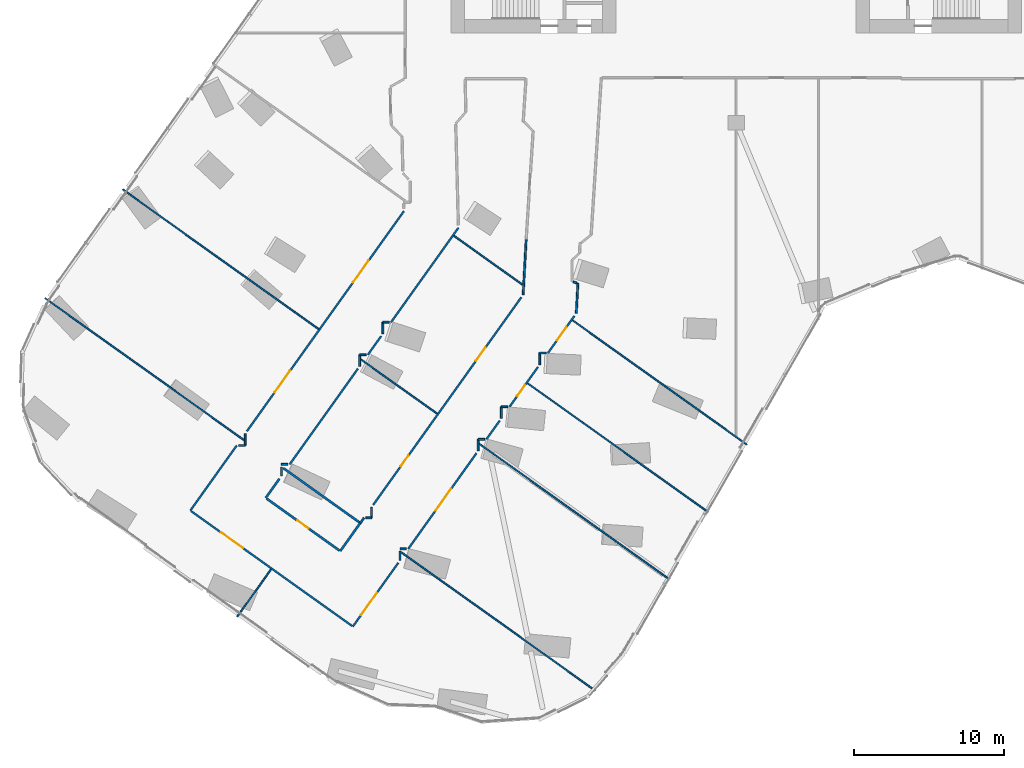
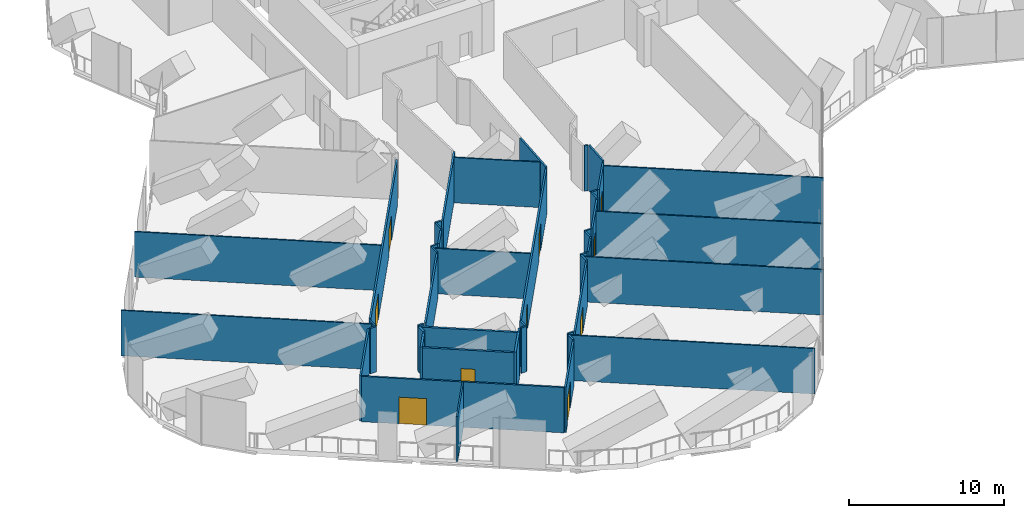
# One storey, part 25 of 34: 47 walls, 10 doors, 10 openings.
"""IFC4 building model written with IfcOpenShell, lengths in metres."""

from ifc_helpers import new_model, si_unit, direction, frame, frame_2d, origin, place, context, subcontext, project, spatial, rectangle, extrude, material, layer, layer_set, type_object, element, fill, save


model = new_model("IFC4")

# Units and contexts
model_context = context("Model", 3, precision=1e-05, world=origin(), true_north=direction((0.0, 1.0)))
body_context = subcontext(model_context, "Body", "Model", "MODEL_VIEW")
ifc_project = project(units=[si_unit("LENGTHUNIT", "METRE"), si_unit("AREAUNIT", "SQUARE_METRE"), si_unit("VOLUMEUNIT", "CUBIC_METRE"), si_unit("PLANEANGLEUNIT", "RADIAN"), si_unit("MASSUNIT", "GRAM", prefix="KILO")], contexts=[model_context])

# Site, building, storey
site_placement = place(None, origin())
site = spatial("IfcSite", under=ifc_project, at=site_placement, CompositionType="ELEMENT")
building_placement = place(site_placement, origin())
building = spatial("IfcBuilding", under=site, at=building_placement, Name="Orlundy Tower", CompositionType="ELEMENT")
storey_placement = place(building_placement, frame((0.0, 0.0, 98.199951171875)))
storey = spatial("IfcBuildingStorey", under=building, at=storey_placement, Name="L24", CompositionType="ELEMENT", Elevation=98.199951171875)

# Walls
ifc_material_1 = material(Name="Gypsum board partition")
ifc_layer_1 = layer(ifc_material_1, 0.10009765625)
ifc_layer_set_1 = layer_set([ifc_layer_1], Name="Floor partition 100")
wall_type_1 = type_object("IfcWallType", Name="Floor partition 100", PredefinedType="PARTITIONING", material=ifc_layer_set_1)
wall_1_placement = place(storey_placement, frame((-46.0439453125, -29.679931640625, 0.0), z_axis=(0.0, 0.0, 1.0), x_axis=(0.814128729821, -0.580684433475, 0.0)))
element("IfcWall", 1, at=wall_1_placement, inside=storey, type_object=wall_type_1, Name="wall-int-L24-011", PredefinedType="PARTITIONING", context=body_context, shape_type="SweptSolid", body=[
    extrude(rectangle(XDim=16.268798828125, YDim=0.10009765625, at=frame_2d((8.13427734375, 0.0))), origin(), (0.0, 0.0, 1.0), 3.580078125),
])
wall_2_placement = place(storey_placement, frame((-22.302001953125, -46.613037109375, 0.0), z_axis=(0.0, 0.0, 1.0), x_axis=(0.814113642146, -0.580705586052, 0.0)))
element("IfcWall", 2, at=wall_2_placement, inside=storey, type_object=wall_type_1, Name="wall-int-L24-013", PredefinedType="PARTITIONING", context=body_context, shape_type="SweptSolid", body=[
    extrude(rectangle(XDim=15.873779296875, YDim=0.10009765625, at=frame_2d((7.93701171875, 0.0))), origin(), (0.0, 0.0, 1.0), 3.580078125),
])
wall_3_placement = place(storey_placement, frame((-40.875, -22.43310546875, 0.0), z_axis=(0.0, 0.0, 1.0), x_axis=(0.814077901833, -0.580755688519, 0.0)))
element("IfcWall", 3, at=wall_3_placement, inside=storey, type_object=wall_type_1, Name="wall-int-L24-014", PredefinedType="PARTITIONING", context=body_context, shape_type="SweptSolid", body=[
    extrude(rectangle(XDim=16.03759765625, YDim=0.10009765625, at=frame_2d((8.018798828125, 0.0))), origin(), (0.0, 0.0, 1.0), 3.580078125),
])
wall_4_placement = place(storey_placement, frame((-24.992919921875, -33.761962890625, 0.0), z_axis=(0.0, 0.0, 1.0), x_axis=(0.813990298992, -0.580878466761, 0.0)))
element("IfcWall", 4, at=wall_4_placement, inside=storey, type_object=wall_type_1, Name="wall-int-L24-015", PredefinedType="PARTITIONING", context=body_context, shape_type="SweptSolid", body=[
    extrude(rectangle(XDim=6.228271484375, YDim=0.10009765625, at=frame_2d((3.1142578125, 0.0))), origin(), (0.0, 0.0, 1.0), 3.580078125),
])
wall_5_placement = place(storey_placement, frame((-17.094970703125, -39.39501953125, 0.0), z_axis=(0.0, 0.0, 1.0), x_axis=(0.814054615278, -0.580788329209, 0.0)))
element("IfcWall", 5, at=wall_5_placement, inside=storey, type_object=wall_type_1, Name="wall-int-L24-016", PredefinedType="PARTITIONING", context=body_context, shape_type="SweptSolid", body=[
    extrude(rectangle(XDim=15.557861328125, YDim=0.10009765625, at=frame_2d((7.77880859375, 0.0))), origin(), (0.0, 0.0, 1.0), 3.580078125),
])
wall_6_placement = place(storey_placement, frame((-13.89599609375, -35.346923828125, 0.0), z_axis=(0.0, 0.0, 1.0), x_axis=(0.814118018686, -0.580699450362, 0.0)))
element("IfcWall", 6, at=wall_6_placement, inside=storey, type_object=wall_type_1, Name="wall-int-L24-017", PredefinedType="PARTITIONING", context=body_context, shape_type="SweptSolid", body=[
    extrude(rectangle(XDim=14.792724609375, YDim=0.10009765625, at=frame_2d((7.396484375, 0.0))), origin(), (0.0, 0.0, 1.0), 3.580078125),
])
wall_7_placement = place(storey_placement, frame((-18.801025390625, -25.51806640625, 0.0), z_axis=(0.0, 0.0, 1.0), x_axis=(0.814033792671, -0.580817513845, 0.0)))
element("IfcWall", 7, at=wall_7_placement, inside=storey, type_object=wall_type_1, Name="wall-int-L24-019", PredefinedType="PARTITIONING", context=body_context, shape_type="SweptSolid", body=[
    extrude(rectangle(XDim=5.6005859375, YDim=0.10009765625, at=frame_2d((2.80029296875, 0.0))), origin(), (0.0, 0.0, 1.0), 3.580078125),
])
wall_8_placement = place(storey_placement, frame((-10.903076171875, -31.15087890625, 0.0), z_axis=(0.0, 0.0, 1.0), x_axis=(0.814095980234, -0.580730346173, 0.0)))
element("IfcWall", 8, at=wall_8_placement, inside=storey, type_object=wall_type_1, Name="wall-int-L24-020", PredefinedType="PARTITIONING", context=body_context, shape_type="SweptSolid", body=[
    extrude(rectangle(XDim=14.2822265625, YDim=0.10009765625, at=frame_2d((7.14111328125, 0.0))), origin(), (0.0, 0.0, 1.0), 3.580078125),
])
wall_9_placement = place(storey_placement, frame((-33.241943359375, -50.908935546875, 0.0), z_axis=(0.0, 0.0, 1.0), x_axis=(0.580721073217, 0.814102594961, 0.0)))
element("IfcWall", 9, at=wall_9_placement, inside=storey, type_object=wall_type_1, Name="wall-int-L24-095", PredefinedType="PARTITIONING", context=body_context, shape_type="SweptSolid", body=[
    extrude(rectangle(XDim=3.88623046875, YDim=0.10009765625, at=frame_2d((1.943115234375, 0.0))), origin(), (0.0, 0.0, 1.0), 3.580078125),
])

# Wall, opening, door
ifc_material_2 = material(Name="Gypsum board partition, double layer")
ifc_layer_2 = layer(ifc_material_2, 0.125)
ifc_layer_set_2 = layer_set([ifc_layer_2], Name="Floor partition 125")
wall_type_2 = type_object("IfcWallType", Name="Floor partition 125", PredefinedType="PARTITIONING", material=ifc_layer_set_2)
wall_10_placement = place(storey_placement, frame((-25.5859375, -51.52001953125, 0.0), z_axis=(0.0, 0.0, 1.0), x_axis=(-0.814070118749, 0.580766598351, 0.0)))
wall_10 = element("IfcWall", 10, at=wall_10_placement, inside=storey, type_object=wall_type_2, Name="wall-int-L24-009", PredefinedType="PARTITIONING", context=body_context, shape_type="SweptSolid", body=[
    extrude(rectangle(XDim=13.17578125, YDim=0.125, at=frame_2d((6.587890625, 0.0))), origin(), (0.0, 0.0, 1.0), 3.580078125),
])
opening_1_placement = place(wall_10_placement, frame((8.937744140625, 0.0, 0.0)))
opening_1 = element("IfcOpeningElement", 11, at=opening_1_placement, cuts=wall_10, Name="Opening 19118", PredefinedType="OPENING", context=body_context, shape_type="SweptSolid", body=[
    extrude(rectangle(XDim=1.800048828125, YDim=2.10009765625, at=frame_2d((0.89990234375, 1.050048828125))), frame((0.0, 0.072509765625, 0.0), z_axis=(0.0, -1.0, 0.0), x_axis=(1.0, 0.0, 0.0)), (0.0, 0.0, 1.0), 0.14501953125),
])
ifc_material_3 = material(Name="Timber door leaf", Category="wood")
door_type_1 = type_object("IfcDoorType", Name="Floor door double 1800 FD30S", OperationType="NOTDEFINED", PredefinedType="DOOR", material=ifc_material_3)
door_1_placement = place(opening_1_placement, origin())
door_1 = element("IfcDoor", 12, at=door_1_placement, inside=storey, type_object=door_type_1, Name="Door 19118", OperationType="DOUBLE_DOOR_SINGLE_SWING", OverallHeight=2.10009765625, OverallWidth=1.800048828125, PredefinedType="DOOR", context=body_context, shape_type="SweptSolid", body=[
    extrude(rectangle(XDim=1.800048828125, YDim=2.10009765625, at=frame_2d((0.89990234375, 1.050048828125))), frame((0.0, 0.02490234375, 0.0), z_axis=(0.0, -1.0, 0.0), x_axis=(1.0, 0.0, 0.0)), (0.0, 0.0, 1.0), 0.050048828125),
])
fill(opening_1, door_1)

# Walls
wall_11_placement = place(storey_placement, frame((-10.85107421875, -28.593017578125, 0.0), z_axis=(0.0, 0.0, 1.0), x_axis=(0.953506468262, -0.301372551808, 0.0)))
element("IfcWall", 13, at=wall_11_placement, inside=storey, type_object=wall_type_2, Name="wall-int-L24-030", PredefinedType="PARTITIONING", context=body_context, shape_type="SweptSolid", body=[
    extrude(rectangle(XDim=0.2421875, YDim=0.125, at=frame_2d((0.12109375, 0.0))), origin(), (0.0, 0.0, 1.0), 3.580078125),
])
wall_12_placement = place(storey_placement, frame((-22.39404296875, -46.384033203125, 0.0), z_axis=(0.0, 0.0, 1.0), x_axis=(1.0, 0.0, 0.0)))
element("IfcWall", 14, at=wall_12_placement, inside=storey, type_object=wall_type_2, Name="wall-int-L24-047", PredefinedType="PARTITIONING", context=body_context, shape_type="SweptSolid", body=[
    extrude(rectangle(XDim=0.427978515625, YDim=0.125, at=frame_2d((0.2138671875, 0.0))), origin(), (0.0, 0.0, 1.0), 3.580078125),
])
wall_13_placement = place(storey_placement, frame((-24.674072265625, -44.319091796875, 0.0), z_axis=(0.0, 0.0, 1.0), x_axis=(1.0, 0.0, 0.0)))
element("IfcWall", 15, at=wall_13_placement, inside=storey, type_object=wall_type_2, Name="wall-int-L24-048", PredefinedType="PARTITIONING", context=body_context, shape_type="SweptSolid", body=[
    extrude(rectangle(XDim=0.382080078125, YDim=0.125, at=frame_2d((0.19091796875, 0.0))), origin(), (0.0, 0.0, 1.0), 3.580078125),
])
wall_14_placement = place(storey_placement, frame((-30.2919921875, -40.751953125, 0.0), z_axis=(0.0, 0.0, 1.0), x_axis=(1.0, 0.0, 0.0)))
element("IfcWall", 16, at=wall_14_placement, inside=storey, type_object=wall_type_2, Name="wall-int-L24-049", PredefinedType="PARTITIONING", context=body_context, shape_type="SweptSolid", body=[
    extrude(rectangle(XDim=0.427978515625, YDim=0.125, at=frame_2d((0.2138671875, 0.0))), origin(), (0.0, 0.0, 1.0), 3.580078125),
])
wall_15_placement = place(storey_placement, frame((-33.14794921875, -39.493896484375, 0.0), z_axis=(0.0, 0.0, 1.0), x_axis=(1.0, 0.0, 0.0)))
element("IfcWall", 17, at=wall_15_placement, inside=storey, type_object=wall_type_2, Name="wall-int-L24-050", PredefinedType="PARTITIONING", context=body_context, shape_type="SweptSolid", body=[
    extrude(rectangle(XDim=0.44091796875, YDim=0.125, at=frame_2d((0.220458984375, 0.0))), origin(), (0.0, 0.0, 1.0), 3.580078125),
])
for number, where, z_axis, x_axis, name in (
    (18, (-17.18701171875, -39.0849609375, 0.0), (0.0, 0.0, 1.0), (1.0, 0.0, 0.0), "wall-int-L24-051"),
    (19, (-15.638916015625, -36.9140625, 0.0), (0.0, 0.0, 1.0), (1.0, 0.0, 0.0), "wall-int-L24-052"),
):
    element("IfcWall", number, at=place(storey_placement, frame(where, z_axis=z_axis, x_axis=x_axis)), inside=storey, type_object=wall_type_2, Name=name, PredefinedType="PARTITIONING", context=body_context, shape_type="SweptSolid", body=[
        extrude(rectangle(XDim=0.427001953125, YDim=0.125, at=frame_2d((0.21337890625, 0.0))), origin(), (0.0, 0.0, 1.0), 3.580078125),
    ])
for number, where, z_axis, x_axis, name in (
    (20, (-25.0849609375, -33.450927734375, 0.0), (0.0, 0.0, 1.0), (1.0, 0.0, 0.0), "wall-int-L24-053"),
    (21, (-13.083984375, -33.3310546875, 0.0), (0.0, 0.0, 1.0), (1.0, 0.0, 0.0), "wall-int-L24-054"),
    (22, (-23.535888671875, -31.280029296875, 0.0), (0.0, 0.0, 1.0), (1.0, 0.0, 0.0), "wall-int-L24-055"),
):
    element("IfcWall", number, at=place(storey_placement, frame(where, z_axis=z_axis, x_axis=x_axis)), inside=storey, type_object=wall_type_2, Name=name, PredefinedType="PARTITIONING", context=body_context, shape_type="SweptSolid", body=[
        extrude(rectangle(XDim=0.427978515625, YDim=0.125, at=frame_2d((0.2138671875, 0.0))), origin(), (0.0, 0.0, 1.0), 3.580078125),
    ])
wall_16_placement = place(storey_placement, frame((-25.0400390625, -44.660888671875, 0.0), z_axis=(0.0, 0.0, 1.0), x_axis=(0.582339384151, 0.812945780275, 0.0)))
element("IfcWall", 23, at=wall_16_placement, inside=storey, type_object=wall_type_2, Name="wall-int-L24-087", PredefinedType="PARTITIONING", context=body_context, shape_type="SweptSolid", body=[
    extrude(rectangle(XDim=0.419189453125, YDim=0.125, at=frame_2d((0.20947265625, 0.0))), origin(), (0.0, 0.0, 1.0), 3.580078125),
])

# Wall, opening, door
wall_17_placement = place(storey_placement, frame((-22.509033203125, -47.31396484375, 0.0), z_axis=(0.0, 0.0, 1.0), x_axis=(-0.580683886647, -0.81412911985, 0.0)))
wall_17 = element("IfcWall", 24, at=wall_17_placement, inside=storey, type_object=wall_type_2, Name="wall-int-L24-088", PredefinedType="PARTITIONING", context=body_context, shape_type="SweptSolid", body=[
    extrude(rectangle(XDim=5.209228515625, YDim=0.125, at=frame_2d((2.6044921875, 0.0))), origin(), (0.0, 0.0, 1.0), 3.580078125),
])
opening_2_placement = place(wall_17_placement, frame((2.460205078125, 0.0, 0.0)))
opening_2 = element("IfcOpeningElement", 25, at=opening_2_placement, cuts=wall_17, Name="Opening 19117", PredefinedType="OPENING", context=body_context, shape_type="SweptSolid", body=[
    extrude(rectangle(XDim=1.800048828125, YDim=2.10009765625, at=frame_2d((0.89990234375, 1.050048828125))), frame((0.0, 0.072509765625, 0.0), z_axis=(0.0, -1.0, 0.0), x_axis=(1.0, 0.0, 0.0)), (0.0, 0.0, 1.0), 0.14501953125),
])
door_2_placement = place(opening_2_placement, origin())
door_2 = element("IfcDoor", 26, at=door_2_placement, inside=storey, type_object=door_type_1, Name="Door 19117", OperationType="DOUBLE_DOOR_SINGLE_SWING", OverallHeight=2.10009765625, OverallWidth=1.800048828125, PredefinedType="DOOR", context=body_context, shape_type="SweptSolid", body=[
    extrude(rectangle(XDim=1.800048828125, YDim=2.10009765625, at=frame_2d((0.89990234375, 1.050048828125))), frame((0.0, 0.02490234375, 0.0), z_axis=(0.0, -1.0, 0.0), x_axis=(1.0, 0.0, 0.0)), (0.0, 0.0, 1.0), 0.050048828125),
])
fill(opening_2, door_2)

wall_18_placement = place(storey_placement, frame((-17.301025390625, -40.012939453125, 0.0), z_axis=(0.0, 0.0, 1.0), x_axis=(-0.58071861579, -0.814104347904, 0.0)))
wall_18 = element("IfcWall", 27, at=wall_18_placement, inside=storey, type_object=wall_type_2, Name="wall-int-L24-089", PredefinedType="PARTITIONING", context=body_context, shape_type="SweptSolid", body=[
    extrude(rectangle(XDim=7.82470703125, YDim=0.125, at=frame_2d((3.912353515625, 0.0))), origin(), (0.0, 0.0, 1.0), 3.580078125),
])
opening_3_placement = place(wall_18_placement, frame((2.90478515625, 0.0, 0.0)))
opening_3 = element("IfcOpeningElement", 28, at=opening_3_placement, cuts=wall_18, Name="Opening 19114", PredefinedType="OPENING", context=body_context, shape_type="SweptSolid", body=[
    extrude(rectangle(XDim=1.800048828125, YDim=2.10009765625, at=frame_2d((0.89990234375, 1.050048828125))), frame((0.0, 0.072509765625, 0.0), z_axis=(0.0, -1.0, 0.0), x_axis=(1.0, 0.0, 0.0)), (0.0, 0.0, 1.0), 0.14501953125),
])
door_3_placement = place(opening_3_placement, origin())
door_3 = element("IfcDoor", 29, at=door_3_placement, inside=storey, type_object=door_type_1, Name="Door 19114", OperationType="DOUBLE_DOOR_SINGLE_SWING", OverallHeight=2.10009765625, OverallWidth=1.800048828125, PredefinedType="DOOR", context=body_context, shape_type="SweptSolid", body=[
    extrude(rectangle(XDim=1.800048828125, YDim=2.10009765625, at=frame_2d((0.89990234375, 1.050048828125))), frame((0.0, 0.02490234375, 0.0), z_axis=(0.0, -1.0, 0.0), x_axis=(1.0, 0.0, 0.0)), (0.0, 0.0, 1.0), 0.050048828125),
])
fill(opening_3, door_3)

# Wall
wall_19_placement = place(storey_placement, frame((-16.638916015625, -39.083984375, 0.0), z_axis=(0.0, 0.0, 1.0), x_axis=(0.581056427343, 0.813863273679, 0.0)))
element("IfcWall", 30, at=wall_19_placement, inside=storey, type_object=wall_type_2, Name="wall-int-L24-090", PredefinedType="PARTITIONING", context=body_context, shape_type="SweptSolid", body=[
    extrude(rectangle(XDim=1.52490234375, YDim=0.125, at=frame_2d((0.762451171875, 0.0))), origin(), (0.0, 0.0, 1.0), 3.580078125),
])

# Wall, opening, door
wall_20_placement = place(storey_placement, frame((-13.199951171875, -34.263916015625, 0.0), z_axis=(0.0, 0.0, 1.0), x_axis=(-0.580805225512, -0.814042560324, 0.0)))
wall_20 = element("IfcWall", 31, at=wall_20_placement, inside=storey, type_object=wall_type_2, Name="wall-int-L24-091", PredefinedType="PARTITIONING", context=body_context, shape_type="SweptSolid", body=[
    extrude(rectangle(XDim=3.25439453125, YDim=0.125, at=frame_2d((1.627197265625, 0.0))), origin(), (0.0, 0.0, 1.0), 3.580078125),
])
opening_4_placement = place(wall_20_placement, frame((1.486572265625, 0.0, 0.0)))
opening_4 = element("IfcOpeningElement", 32, at=opening_4_placement, cuts=wall_20, Name="Opening 19113", PredefinedType="OPENING", context=body_context, shape_type="SweptSolid", body=[
    extrude(rectangle(XDim=0.89990234375, YDim=2.10009765625, at=frame_2d((0.449951171875, 1.050048828125))), frame((0.0, 0.072509765625, 0.0), z_axis=(0.0, -1.0, 0.0), x_axis=(1.0, 0.0, 0.0)), (0.0, 0.0, 1.0), 0.14501953125),
])
ifc_material_4 = material(Name="Timber door leaf", Category="wood")
door_type_2 = type_object("IfcDoorType", Name="Floor door single 900 FD30S", OperationType="NOTDEFINED", PredefinedType="DOOR", material=ifc_material_4)
door_4_placement = place(opening_4_placement, origin())
door_4 = element("IfcDoor", 33, at=door_4_placement, inside=storey, type_object=door_type_2, Name="Door 19113", OperationType="SINGLE_SWING_RIGHT", OverallHeight=2.10009765625, OverallWidth=0.89990234375, PredefinedType="DOOR", context=body_context, shape_type="SweptSolid", body=[
    extrude(rectangle(XDim=0.89990234375, YDim=2.10009765625, at=frame_2d((0.449951171875, 1.050048828125))), frame((0.0, 0.02490234375, 0.0), z_axis=(0.0, -1.0, 0.0), x_axis=(1.0, 0.0, 0.0)), (0.0, 0.0, 1.0), 0.050048828125),
])
fill(opening_4, door_4)

wall_21_placement = place(storey_placement, frame((-10.777099609375, -30.866943359375, 0.0), z_axis=(0.0, 0.0, 1.0), x_axis=(-0.580680826128, -0.81413130278, 0.0)))
wall_21 = element("IfcWall", 34, at=wall_21_placement, inside=storey, type_object=wall_type_2, Name="wall-int-L24-092", PredefinedType="PARTITIONING", context=body_context, shape_type="SweptSolid", body=[
    extrude(rectangle(XDim=3.025390625, YDim=0.125, at=frame_2d((1.5126953125, 0.0))), origin(), (0.0, 0.0, 1.0), 3.580078125),
])
opening_5_placement = place(wall_21_placement, frame((0.904296875, 0.0, 0.0)))
opening_5 = element("IfcOpeningElement", 35, at=opening_5_placement, cuts=wall_21, Name="Opening 19112", PredefinedType="OPENING", context=body_context, shape_type="SweptSolid", body=[
    extrude(rectangle(XDim=1.10009765625, YDim=2.10009765625, at=frame_2d((0.550048828125, 1.050048828125))), frame((0.0, 0.072509765625, 0.0), z_axis=(0.0, -1.0, 0.0), x_axis=(1.0, 0.0, 0.0)), (0.0, 0.0, 1.0), 0.14501953125),
])
ifc_material_5 = material(Name="Timber door leaf", Category="wood")
door_type_3 = type_object("IfcDoorType", Name="Floor door xwide 1100 FD30S", OperationType="NOTDEFINED", PredefinedType="DOOR", material=ifc_material_5)
door_5_placement = place(opening_5_placement, origin())
door_5 = element("IfcDoor", 36, at=door_5_placement, inside=storey, type_object=door_type_3, Name="Door 19112", OperationType="SINGLE_SWING_LEFT", OverallHeight=2.10009765625, OverallWidth=1.10009765625, PredefinedType="DOOR", context=body_context, shape_type="SweptSolid", body=[
    extrude(rectangle(XDim=1.10009765625, YDim=2.10009765625, at=frame_2d((0.550048828125, 1.050048828125))), frame((0.0, 0.02490234375, 0.0), z_axis=(0.0, -1.0, 0.0), x_axis=(1.0, 0.0, 0.0)), (0.0, 0.0, 1.0), 0.050048828125),
])
fill(opening_5, door_5)

# Wall, openings, doors
wall_22_placement = place(storey_placement, frame((-24.178955078125, -43.4541015625, 0.0), z_axis=(0.0, 0.0, 1.0), x_axis=(0.580695596551, 0.814120767544, 0.0)))
wall_22 = element("IfcWall", 37, at=wall_22_placement, inside=storey, type_object=wall_type_2, Name="wall-int-L24-094", PredefinedType="PARTITIONING", context=body_context, shape_type="SweptSolid", body=[
    extrude(rectangle(XDim=16.986572265625, YDim=0.125, at=frame_2d((8.4931640625, 0.0))), origin(), (0.0, 0.0, 1.0), 3.580078125),
])
opening_6_placement = place(wall_22_placement, frame((11.7666015625, 0.0, 0.0)))
opening_6 = element("IfcOpeningElement", 38, at=opening_6_placement, cuts=wall_22, Name="Opening 19115", PredefinedType="OPENING", context=body_context, shape_type="SweptSolid", body=[
    extrude(rectangle(XDim=1.10009765625, YDim=2.10009765625, at=frame_2d((0.550048828125, 1.050048828125))), frame((0.0, 0.072509765625, 0.0), z_axis=(0.0, -1.0, 0.0), x_axis=(1.0, 0.0, 0.0)), (0.0, 0.0, 1.0), 0.14501953125),
])
opening_7_placement = place(wall_22_placement, frame((3.15478515625, 0.0, 0.0)))
opening_7 = element("IfcOpeningElement", 39, at=opening_7_placement, cuts=wall_22, Name="Opening 19116", PredefinedType="OPENING", context=body_context, shape_type="SweptSolid", body=[
    extrude(rectangle(XDim=0.89990234375, YDim=2.10009765625, at=frame_2d((0.449951171875, 1.050048828125))), frame((0.0, 0.072509765625, 0.0), z_axis=(0.0, -1.0, 0.0), x_axis=(1.0, 0.0, 0.0)), (0.0, 0.0, 1.0), 0.14501953125),
])
door_6_placement = place(opening_7_placement, origin())
door_6 = element("IfcDoor", 40, at=door_6_placement, inside=storey, type_object=door_type_2, Name="Door 19116", OperationType="SINGLE_SWING_LEFT", OverallHeight=2.10009765625, OverallWidth=0.89990234375, PredefinedType="DOOR", context=body_context, shape_type="SweptSolid", body=[
    extrude(rectangle(XDim=0.89990234375, YDim=2.10009765625, at=frame_2d((0.449951171875, 1.050048828125))), frame((0.0, 0.02490234375, 0.0), z_axis=(0.0, -1.0, 0.0), x_axis=(1.0, 0.0, 0.0)), (0.0, 0.0, 1.0), 0.050048828125),
])
fill(opening_7, door_6)
door_7_placement = place(opening_6_placement, origin())
door_7 = element("IfcDoor", 41, at=door_7_placement, inside=storey, type_object=door_type_3, Name="Door 19115", OperationType="SINGLE_SWING_RIGHT", OverallHeight=2.10009765625, OverallWidth=1.10009765625, PredefinedType="DOOR", context=body_context, shape_type="SweptSolid", body=[
    extrude(rectangle(XDim=1.10009765625, YDim=2.10009765625, at=frame_2d((0.550048828125, 1.050048828125))), frame((0.0, 0.02490234375, 0.0), z_axis=(0.0, -1.0, 0.0), x_axis=(1.0, 0.0, 0.0)), (0.0, 0.0, 1.0), 0.050048828125),
])
fill(opening_6, door_7)

# Walls
wall_23_placement = place(storey_placement, frame((-18.501953125, -24.991943359375, 0.0), z_axis=(0.0, 0.0, 1.0), x_axis=(-0.580690883061, -0.814124129559, 0.0)))
element("IfcWall", 42, at=wall_23_placement, inside=storey, type_object=wall_type_2, Name="wall-int-L24-096", PredefinedType="PARTITIONING", context=body_context, shape_type="SweptSolid", body=[
    extrude(rectangle(XDim=7.7236328125, YDim=0.125, at=frame_2d((3.86181640625, 0.0))), origin(), (0.0, 0.0, 1.0), 3.580078125),
])
wall_24_placement = place(storey_placement, frame((-29.742919921875, -40.7509765625, 0.0), z_axis=(0.0, 0.0, 1.0), x_axis=(0.580742324447, 0.814087435473, 0.0)))
element("IfcWall", 43, at=wall_24_placement, inside=storey, type_object=wall_type_2, Name="wall-int-L24-098", PredefinedType="PARTITIONING", context=body_context, shape_type="SweptSolid", body=[
    extrude(rectangle(XDim=7.826171875, YDim=0.125, at=frame_2d((3.9130859375, 0.0))), origin(), (0.0, 0.0, 1.0), 3.580078125),
])
wall_25_placement = place(storey_placement, frame((-24.535888671875, -33.450927734375, 0.0), z_axis=(0.0, 0.0, 1.0), x_axis=(0.581056427343, 0.813863273679, 0.0)))
element("IfcWall", 44, at=wall_25_placement, inside=storey, type_object=wall_type_2, Name="wall-int-L24-099", PredefinedType="PARTITIONING", context=body_context, shape_type="SweptSolid", body=[
    extrude(rectangle(XDim=1.52490234375, YDim=0.125, at=frame_2d((0.762451171875, 0.0))), origin(), (0.0, 0.0, 1.0), 3.580078125),
])
wall_26_placement = place(storey_placement, frame((-36.363037109375, -43.83203125, 0.0), z_axis=(0.0, 0.0, 1.0), x_axis=(0.580644082499, 0.814157508999, 0.0)))
element("IfcWall", 45, at=wall_26_placement, inside=storey, type_object=wall_type_2, Name="wall-int-L24-100", PredefinedType="PARTITIONING", context=body_context, shape_type="SweptSolid", body=[
    extrude(rectangle(XDim=5.326904296875, YDim=0.125, at=frame_2d((2.66357421875, 0.0))), origin(), (0.0, 0.0, 1.0), 3.580078125),
])

# Wall, openings, doors
wall_27_placement = place(storey_placement, frame((-32.593017578125, -38.5458984375, 0.0), z_axis=(0.0, 0.0, 1.0), x_axis=(0.580752168923, 0.814080412669, 0.0)))
wall_27 = element("IfcWall", 46, at=wall_27_placement, inside=storey, type_object=wall_type_2, Name="wall-int-L24-101", PredefinedType="PARTITIONING", context=body_context, shape_type="SweptSolid", body=[
    extrude(rectangle(XDim=18.0126953125, YDim=0.125, at=frame_2d((9.00634765625, 0.0))), origin(), (0.0, 0.0, 1.0), 3.580078125),
])
opening_8_placement = place(wall_27_placement, frame((12.15771484375, 0.0, 0.0)))
opening_8 = element("IfcOpeningElement", 47, at=opening_8_placement, cuts=wall_27, Name="Opening 19119", PredefinedType="OPENING", context=body_context, shape_type="SweptSolid", body=[
    extrude(rectangle(XDim=1.800048828125, YDim=2.10009765625, at=frame_2d((0.89990234375, 1.050048828125))), frame((0.0, 0.072509765625, 0.0), z_axis=(0.0, -1.0, 0.0), x_axis=(1.0, 0.0, 0.0)), (0.0, 0.0, 1.0), 0.14501953125),
])
opening_9_placement = place(wall_27_placement, frame((3.15478515625, 0.0, 0.0)))
opening_9 = element("IfcOpeningElement", 48, at=opening_9_placement, cuts=wall_27, Name="Opening 19120", PredefinedType="OPENING", context=body_context, shape_type="SweptSolid", body=[
    extrude(rectangle(XDim=1.800048828125, YDim=2.10009765625, at=frame_2d((0.89990234375, 1.050048828125))), frame((0.0, 0.072509765625, 0.0), z_axis=(0.0, -1.0, 0.0), x_axis=(1.0, 0.0, 0.0)), (0.0, 0.0, 1.0), 0.14501953125),
])
door_8_placement = place(opening_8_placement, origin())
door_8 = element("IfcDoor", 49, at=door_8_placement, inside=storey, type_object=door_type_1, Name="Door 19119", OperationType="DOUBLE_DOOR_SINGLE_SWING", OverallHeight=2.10009765625, OverallWidth=1.800048828125, PredefinedType="DOOR", context=body_context, shape_type="SweptSolid", body=[
    extrude(rectangle(XDim=1.800048828125, YDim=2.10009765625, at=frame_2d((0.89990234375, 1.050048828125))), frame((0.0, 0.02490234375, 0.0), z_axis=(0.0, -1.0, 0.0), x_axis=(1.0, 0.0, 0.0)), (0.0, 0.0, 1.0), 0.050048828125),
])
fill(opening_8, door_8)
door_9_placement = place(opening_9_placement, origin())
door_9 = element("IfcDoor", 50, at=door_9_placement, inside=storey, type_object=door_type_1, Name="Door 19120", OperationType="DOUBLE_DOOR_SINGLE_SWING", OverallHeight=2.10009765625, OverallWidth=1.800048828125, PredefinedType="DOOR", context=body_context, shape_type="SweptSolid", body=[
    extrude(rectangle(XDim=1.800048828125, YDim=2.10009765625, at=frame_2d((0.89990234375, 1.050048828125))), frame((0.0, 0.02490234375, 0.0), z_axis=(0.0, -1.0, 0.0), x_axis=(1.0, 0.0, 0.0)), (0.0, 0.0, 1.0), 0.050048828125),
])
fill(opening_9, door_9)

# Walls
wall_28_placement = place(storey_placement, frame((-10.65087890625, -30.68994140625, 0.0), z_axis=(0.0, 0.0, 1.0), x_axis=(0.054362851086, 0.998521246855, 0.0)))
element("IfcWall", 51, at=wall_28_placement, inside=storey, type_object=wall_type_2, Name="wall-int-L24-120", PredefinedType="PARTITIONING", context=body_context, shape_type="SweptSolid", body=[
    extrude(rectangle(XDim=2.0029296875, YDim=0.125, at=frame_2d((1.00146484375, 0.0))), origin(), (0.0, 0.0, 1.0), 3.580078125),
])
wall_29_placement = place(storey_placement, frame((-14.18994140625, -29.449951171875, 0.0), z_axis=(0.0, 0.0, 1.0), x_axis=(0.054431963362, 0.998517481752, 0.0)))
element("IfcWall", 52, at=wall_29_placement, inside=storey, type_object=wall_type_2, Name="wall-int-L24-122", PredefinedType="PARTITIONING", context=body_context, shape_type="SweptSolid", body=[
    extrude(rectangle(XDim=3.67333984375, YDim=0.125, at=frame_2d((1.836669921875, 0.0))), origin(), (0.0, 0.0, 1.0), 3.580078125),
])
wall_30_placement = place(storey_placement, frame((-13.083984375, -34.10107421875, 0.0), z_axis=(0.0, 0.0, 1.0), x_axis=(0.0, 1.0, 0.0)))
element("IfcWall", 53, at=wall_30_placement, inside=storey, type_object=wall_type_2, Name="wall-int-L24-143", PredefinedType="PARTITIONING", context=body_context, shape_type="SweptSolid", body=[
    extrude(rectangle(XDim=0.77001953125, YDim=0.125, at=frame_2d((0.385009765625, 0.0))), origin(), (0.0, 0.0, 1.0), 3.580078125),
])
wall_31_placement = place(storey_placement, frame((-15.638916015625, -37.68310546875, 0.0), z_axis=(0.0, 0.0, 1.0), x_axis=(0.0, 1.0, 0.0)))
element("IfcWall", 54, at=wall_31_placement, inside=storey, type_object=wall_type_2, Name="wall-int-L24-144", PredefinedType="PARTITIONING", context=body_context, shape_type="SweptSolid", body=[
    extrude(rectangle(XDim=0.76904296875, YDim=0.125, at=frame_2d((0.384521484375, 0.0))), origin(), (0.0, 0.0, 1.0), 3.580078125),
])
wall_32_placement = place(storey_placement, frame((-17.18701171875, -39.85302734375, 0.0), z_axis=(0.0, 0.0, 1.0), x_axis=(0.0, 1.0, 0.0)))
element("IfcWall", 55, at=wall_32_placement, inside=storey, type_object=wall_type_2, Name="wall-int-L24-146", PredefinedType="PARTITIONING", context=body_context, shape_type="SweptSolid", body=[
    extrude(rectangle(XDim=0.76806640625, YDim=0.125, at=frame_2d((0.384033203125, 0.0))), origin(), (0.0, 0.0, 1.0), 3.580078125),
])
wall_33_placement = place(storey_placement, frame((-22.39404296875, -47.153076171875, 0.0), z_axis=(0.0, 0.0, 1.0), x_axis=(0.0, 1.0, 0.0)))
element("IfcWall", 56, at=wall_33_placement, inside=storey, type_object=wall_type_2, Name="wall-int-L24-149", PredefinedType="PARTITIONING", context=body_context, shape_type="SweptSolid", body=[
    extrude(rectangle(XDim=0.60498046875, YDim=0.125, at=frame_2d((0.302490234375, 0.0))), origin(), (0.0, 0.0, 1.0), 3.580078125),
])
wall_34_placement = place(storey_placement, frame((-23.535888671875, -32.050048828125, 0.0), z_axis=(0.0, 0.0, 1.0), x_axis=(0.0, 1.0, 0.0)))
element("IfcWall", 57, at=wall_34_placement, inside=storey, type_object=wall_type_2, Name="wall-int-L24-150", PredefinedType="PARTITIONING", context=body_context, shape_type="SweptSolid", body=[
    extrude(rectangle(XDim=0.77001953125, YDim=0.125, at=frame_2d((0.385009765625, 0.0))), origin(), (0.0, 0.0, 1.0), 3.580078125),
])
wall_35_placement = place(storey_placement, frame((-24.2919921875, -44.319091796875, 0.0), z_axis=(0.0, 0.0, 1.0), x_axis=(0.0, 1.0, 0.0)))
element("IfcWall", 58, at=wall_35_placement, inside=storey, type_object=wall_type_2, Name="wall-int-L24-151", PredefinedType="PARTITIONING", context=body_context, shape_type="SweptSolid", body=[
    extrude(rectangle(XDim=0.7060546875, YDim=0.125, at=frame_2d((0.35302734375, 0.0))), origin(), (0.0, 0.0, 1.0), 3.580078125),
])
wall_36_placement = place(storey_placement, frame((-25.0849609375, -34.220947265625, 0.0), z_axis=(0.0, 0.0, 1.0), x_axis=(0.0, 1.0, 0.0)))
element("IfcWall", 59, at=wall_36_placement, inside=storey, type_object=wall_type_2, Name="wall-int-L24-152", PredefinedType="PARTITIONING", context=body_context, shape_type="SweptSolid", body=[
    extrude(rectangle(XDim=0.77001953125, YDim=0.125, at=frame_2d((0.385009765625, 0.0))), origin(), (0.0, 0.0, 1.0), 3.580078125),
])
wall_37_placement = place(storey_placement, frame((-32.70703125, -39.493896484375, 0.0), z_axis=(0.0, 0.0, 1.0), x_axis=(0.0, 1.0, 0.0)))
element("IfcWall", 60, at=wall_37_placement, inside=storey, type_object=wall_type_2, Name="wall-int-L24-156", PredefinedType="PARTITIONING", context=body_context, shape_type="SweptSolid", body=[
    extrude(rectangle(XDim=0.787841796875, YDim=0.125, at=frame_2d((0.39404296875, 0.0))), origin(), (0.0, 0.0, 1.0), 3.580078125),
])

# Wall, opening, door
ifc_material_6 = material(Name="Blockwork shaft wall", Category="masonry")
ifc_layer_3 = layer(ifc_material_6, 0.14990234375)
ifc_layer_set_3 = layer_set([ifc_layer_3], Name="Floor shaft wall 150")
wall_type_3 = type_object("IfcWallType", Name="Floor shaft wall 150", PredefinedType="PARTITIONING", material=ifc_layer_set_3)
wall_38_placement = place(storey_placement, frame((-31.279052734375, -43.034912109375, 0.0), z_axis=(0.0, 0.0, 1.0), x_axis=(0.814146456828, -0.58065957913, 0.0)))
wall_38 = element("IfcWall", 61, at=wall_38_placement, inside=storey, type_object=wall_type_3, Name="wall-int-L24-010", PredefinedType="PARTITIONING", context=body_context, shape_type="SweptSolid", body=[
    extrude(rectangle(XDim=5.948486328125, YDim=0.14990234375, at=frame_2d((2.97412109375, 0.0))), origin(), (0.0, 0.0, 1.0), 3.580078125),
])
opening_10_placement = place(wall_38_placement, frame((2.52490234375, 0.0, 0.0)))
opening_10 = element("IfcOpeningElement", 62, at=opening_10_placement, cuts=wall_38, Name="Opening 19111", PredefinedType="OPENING", context=body_context, shape_type="SweptSolid", body=[
    extrude(rectangle(XDim=0.89990234375, YDim=2.10009765625, at=frame_2d((0.449951171875, 1.050048828125))), frame((0.0, 0.0849609375, 0.0), z_axis=(0.0, -1.0, 0.0), x_axis=(1.0, 0.0, 0.0)), (0.0, 0.0, 1.0), 0.169921875),
])
ifc_material_7 = material(Name="Timber door leaf", Category="wood")
door_type_4 = type_object("IfcDoorType", Name="Floor door single 900 FD60", OperationType="NOTDEFINED", PredefinedType="DOOR", material=ifc_material_7)
door_10_placement = place(opening_10_placement, origin())
door_10 = element("IfcDoor", 63, at=door_10_placement, inside=storey, type_object=door_type_4, Name="Door 19111", OperationType="SINGLE_SWING_RIGHT", OverallHeight=2.10009765625, OverallWidth=0.89990234375, PredefinedType="DOOR", context=body_context, shape_type="SweptSolid", body=[
    extrude(rectangle(XDim=0.89990234375, YDim=2.10009765625, at=frame_2d((0.449951171875, 1.050048828125))), frame((0.0, 0.02490234375, 0.0), z_axis=(0.0, -1.0, 0.0), x_axis=(1.0, 0.0, 0.0)), (0.0, 0.0, 1.0), 0.050048828125),
])
fill(opening_10, door_10)

# Walls
wall_39_placement = place(storey_placement, frame((-30.173095703125, -41.0, 0.0), z_axis=(0.0, 0.0, 1.0), x_axis=(0.81418338872, -0.580607793207, 0.0)))
element("IfcWall", 64, at=wall_39_placement, inside=storey, type_object=wall_type_3, Name="wall-int-L24-012", PredefinedType="PARTITIONING", context=body_context, shape_type="SweptSolid", body=[
    extrude(rectangle(XDim=6.2294921875, YDim=0.14990234375, at=frame_2d((3.11474609375, 0.0))), origin(), (0.0, 0.0, 1.0), 3.580078125),
])
wall_40_placement = place(storey_placement, frame((-26.375, -46.532958984375, 0.0), z_axis=(0.0, 0.0, 1.0), x_axis=(0.580595189634, 0.814192376392, 0.0)))
element("IfcWall", 65, at=wall_40_placement, inside=storey, type_object=wall_type_3, Name="wall-int-L24-093", PredefinedType="PARTITIONING", context=body_context, shape_type="SweptSolid", body=[
    extrude(rectangle(XDim=2.29931640625, YDim=0.14990234375, at=frame_2d((1.149658203125, 0.0))), origin(), (0.0, 0.0, 1.0), 3.580078125),
])
wall_41_placement = place(storey_placement, frame((-31.340087890625, -42.990966796875, 0.0), z_axis=(0.0, 0.0, 1.0), x_axis=(0.580605884061, 0.81418475016, 0.0)))
element("IfcWall", 66, at=wall_41_placement, inside=storey, type_object=wall_type_3, Name="wall-int-L24-097", PredefinedType="PARTITIONING", context=body_context, shape_type="SweptSolid", body=[
    extrude(rectangle(XDim=1.571044921875, YDim=0.14990234375, at=frame_2d((0.78564453125, 0.0))), origin(), (0.0, 0.0, 1.0), 3.580078125),
])
wall_42_placement = place(storey_placement, frame((-30.2919921875, -41.52099609375, 0.0), z_axis=(0.0, 0.0, 1.0), x_axis=(0.0, 1.0, 0.0)))
element("IfcWall", 67, at=wall_42_placement, inside=storey, type_object=wall_type_3, Name="wall-int-L24-155", PredefinedType="PARTITIONING", context=body_context, shape_type="SweptSolid", body=[
    extrude(rectangle(XDim=0.60595703125, YDim=0.14990234375, at=frame_2d((0.302978515625, 0.0))), origin(), (0.0, 0.0, 1.0), 3.580078125),
])

save(model, "model.ifc")
